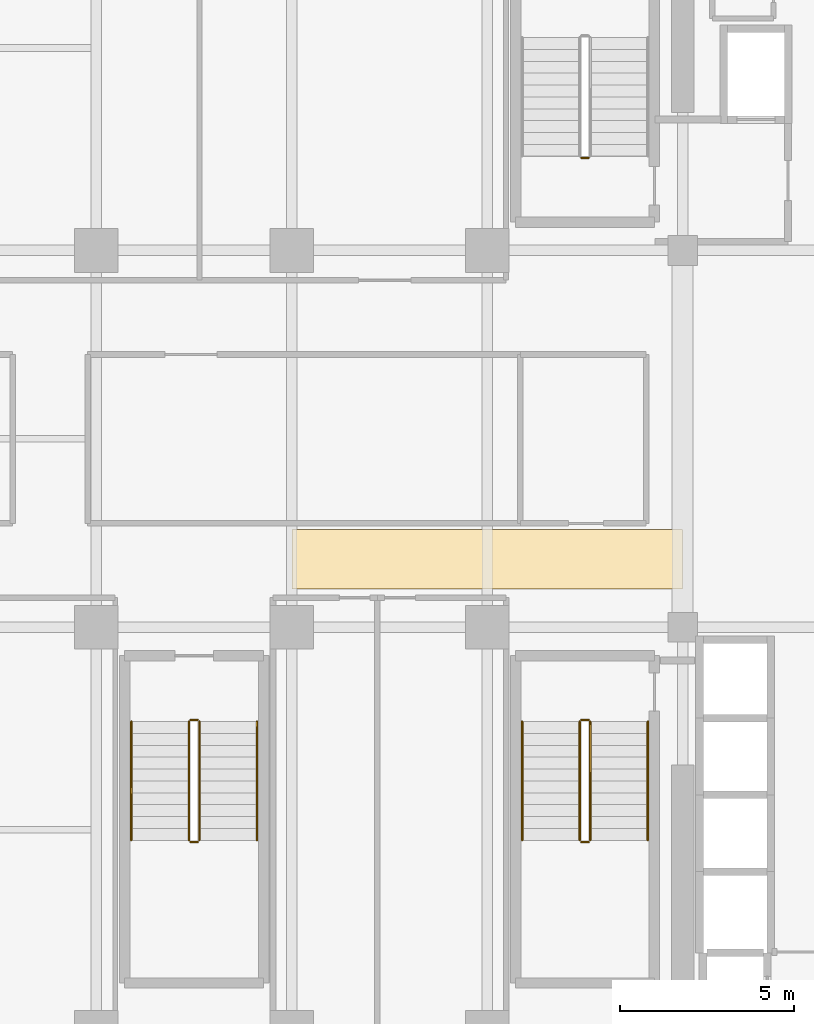
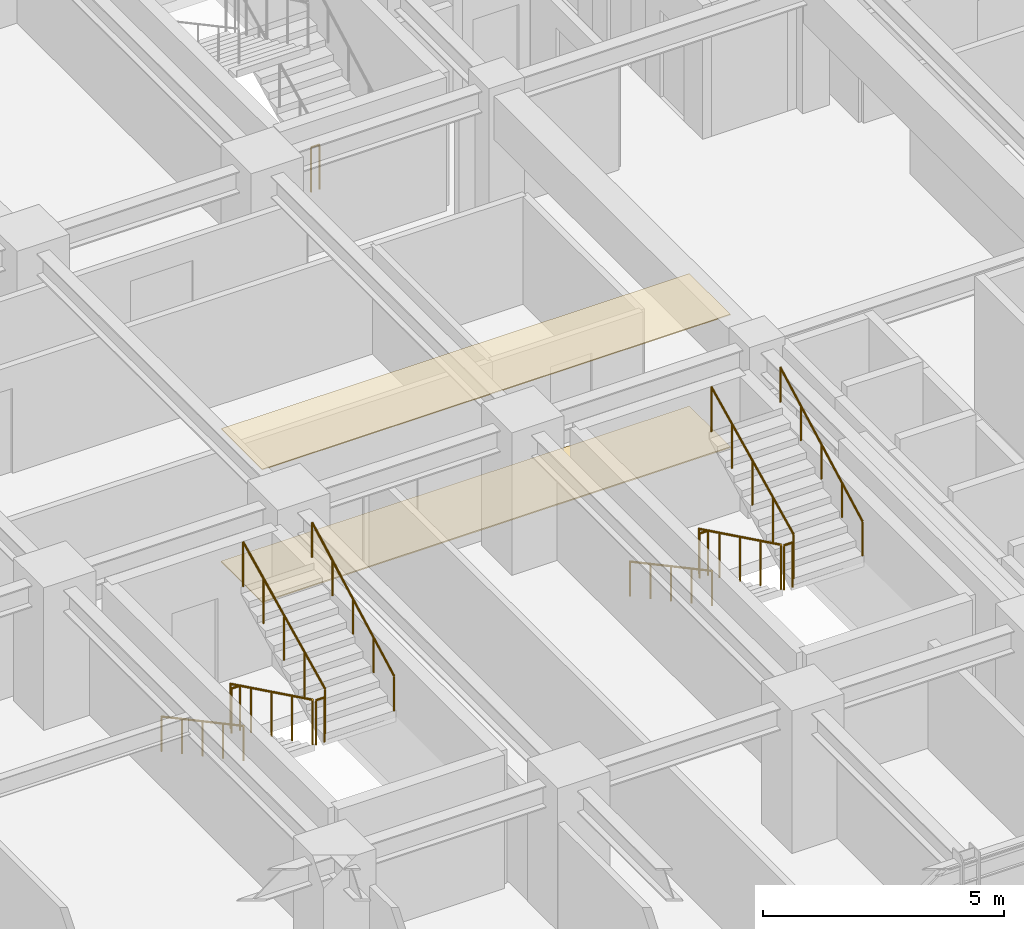
# One storey, part 32 of 35: 13 railings, 2 coverings.
"""IFC4 building model written with IfcOpenShell, lengths in metres."""

from ifc_helpers import new_model, si_unit, direction, frame, origin, origin_2d, place, context, subcontext, project, spatial, polyline, circle, outline, extrude, material, layer, layer_set, type_object, element, save


model = new_model("IFC4")

# Units and contexts
model_context = context("Model", 3, precision=1e-05, world=origin(), true_north=direction((0.0, 1.0)))
body_context = subcontext(model_context, "Body", "Model", "MODEL_VIEW")
ifc_project = project(units=[si_unit("LENGTHUNIT", "METRE"), si_unit("AREAUNIT", "SQUARE_METRE"), si_unit("VOLUMEUNIT", "CUBIC_METRE"), si_unit("PLANEANGLEUNIT", "RADIAN"), si_unit("MASSUNIT", "GRAM", prefix="KILO")], contexts=[model_context])

# Site, building, storey
site_placement = place(None, origin())
site = spatial("IfcSite", under=ifc_project, at=site_placement, CompositionType="ELEMENT")
building_placement = place(site_placement, origin())
building = spatial("IfcBuilding", under=site, at=building_placement, Name="Nahalor Promenade Grand Hotel", CompositionType="ELEMENT")
storey_placement = place(building_placement, frame((0.0, 0.0, 106.550048828125)))
storey = spatial("IfcBuildingStorey", under=building, at=storey_placement, Name="L26", CompositionType="ELEMENT", Elevation=106.550048828125)

# Coverings
ifc_material_1 = material(Name="Acoustic Mineral Gypsum", Category="gypsum")
ifc_layer_1 = layer(ifc_material_1, 0.02490234375)
ifc_layer_set_1 = layer_set([ifc_layer_1], Name="Acoustic Mineral Gypsum")
covering_type_1 = type_object("IfcCoveringType", Name="Acoustic Suspended Ceiling Tile", PredefinedType="CEILING", material=ifc_layer_set_1)
covering_1_placement = place(storey_placement, frame((0.0, 0.0, 3.35498046875)))
element("IfcCovering", 1, at=covering_1_placement, inside=storey, type_object=covering_type_1, Name="CV-CEIL-L26", PredefinedType="CEILING", context=body_context, shape_type="SweptSolid", body=[
    extrude(outline(polyline([(-2.800048828125, -4.300048828125), (8.39990234375, -4.300048828125), (8.39990234375, -2.60009765625), (-2.800048828125, -2.60009765625), (-2.800048828125, -4.300048828125)])), origin(), (0.0, 0.0, 1.0), 0.02490234375),
])
ifc_material_2 = material(Name="Jerusalem Limestone Flooring", Category="masonry")
ifc_layer_2 = layer(ifc_material_2, 0.030029296875)
ifc_layer_set_2 = layer_set([ifc_layer_2], Name="Jerusalem Limestone Flooring")
covering_type_2 = type_object("IfcCoveringType", Name="Honed Limestone Floor Finish", PredefinedType="FLOORING", material=ifc_layer_set_2)
covering_2_placement = place(storey_placement, origin())
element("IfcCovering", 2, at=covering_2_placement, inside=storey, type_object=covering_type_2, Name="CV-FLOR-L26", PredefinedType="FLOORING", context=body_context, shape_type="SweptSolid", body=[
    extrude(outline(polyline([(-2.800048828125, -4.300048828125), (8.39990234375, -4.300048828125), (8.39990234375, -2.60009765625), (-2.800048828125, -2.60009765625), (-2.800048828125, -4.300048828125)])), origin(), (0.0, 0.0, 1.0), 0.030029296875),
])

# Railings
ifc_material_3 = material(Name="Steel S355JR", Category="steel")
railing_type_1 = type_object("IfcRailingType", Name="Steel Stair Guardrail 1150 mm", PredefinedType="GUARDRAIL", material=ifc_material_3)
railing_1_placement = place(storey_placement, frame((5.699951171875, 8.050048828125, 0.0)))
element("IfcRailing", 3, at=railing_1_placement, inside=storey, type_object=railing_type_1, Name="L26 ST1 stair guard 4", PredefinedType="GUARDRAIL", context=body_context, shape_type="SweptSolid", body=[
    extrude(circle(Radius=0.024048, at=origin_2d()), frame((0.0, 0.0, 1.1259765625), z_axis=(-1.0, 0.0, 0.0), x_axis=(0.0, -1.0, 0.0)), (0.0, 0.0, 1.0), 0.199951171875),
    extrude(circle(Radius=0.020996, at=origin_2d()), origin(), (0.0, 0.0, 1.0), 1.099853515625),
    extrude(circle(Radius=0.020996, at=origin_2d()), frame((-0.199951171875, 0.0, 0.0)), (0.0, 0.0, 1.0), 1.099853515625),
])
railing_2_placement = place(storey_placement, frame((5.449951171875, -8.10009765625, 0.165771484375)))
element("IfcRailing", 4, at=railing_2_placement, inside=storey, type_object=railing_type_1, Name="L26 ST2 stair guard 1", PredefinedType="GUARDRAIL", context=body_context, shape_type="SweptSolid", body=[
    extrude(circle(Radius=0.024048, at=origin_2d()), frame((0.0, 0.0, 1.1259765625), z_axis=(0.0, -0.898696488221, 0.438571114028), x_axis=(1.0, 0.0, 0.0)), (0.0, 0.0, 1.0), 3.783203125),
    extrude(circle(Radius=0.020996, at=origin_2d()), origin(), (0.0, 0.0, 1.0), 1.099853515625),
    extrude(circle(Radius=0.020996, at=origin_2d()), frame((0.0, -0.85009765625, 0.414794921875)), (0.0, 0.0, 1.0), 1.099853515625),
    extrude(circle(Radius=0.020996, at=origin_2d()), frame((0.0, -1.699951171875, 0.82958984375)), (0.0, 0.0, 1.0), 1.099853515625),
    extrude(circle(Radius=0.020996, at=origin_2d()), frame((0.0, -2.5498046875, 1.244384765625)), (0.0, 0.0, 1.0), 1.099853515625),
    extrude(circle(Radius=0.020996, at=origin_2d()), frame((0.0, -3.39990234375, 1.6591796875)), (0.0, 0.0, 1.0), 1.099853515625),
])
railing_3_placement = place(storey_placement, frame((5.5, -11.550048828125, 1.824951171875)))
element("IfcRailing", 5, at=railing_3_placement, inside=storey, type_object=railing_type_1, Name="L26 ST2 stair guard 2", PredefinedType="GUARDRAIL", context=body_context, shape_type="SweptSolid", body=[
    extrude(circle(Radius=0.024048, at=origin_2d()), frame((0.0, 0.0, 1.1259765625), z_axis=(1.0, 0.0, 0.0), x_axis=(0.0, 1.0, 0.0)), (0.0, 0.0, 1.0), 0.199951171875),
    extrude(circle(Radius=0.020996, at=origin_2d()), origin(), (0.0, 0.0, 1.0), 1.099853515625),
    extrude(circle(Radius=0.020996, at=origin_2d()), frame((0.199951171875, 0.0, 0.0)), (0.0, 0.0, 1.0), 1.099853515625),
])
railing_4_placement = place(storey_placement, frame((5.75, -11.5, 1.990966796875)))
element("IfcRailing", 6, at=railing_4_placement, inside=storey, type_object=railing_type_1, Name="L26 ST2 stair guard 3", PredefinedType="GUARDRAIL", context=body_context, shape_type="SweptSolid", body=[
    extrude(circle(Radius=0.024048, at=origin_2d()), frame((0.0, 0.0, 1.1259765625), z_axis=(0.0, 0.898721922897, 0.438518990814), x_axis=(-1.0, 0.0, 0.0)), (0.0, 0.0, 1.0), 3.782958984375),
    extrude(circle(Radius=0.020996, at=origin_2d()), origin(), (0.0, 0.0, 1.0), 1.099853515625),
    extrude(circle(Radius=0.020996, at=origin_2d()), frame((0.0, 0.85009765625, 0.414794921875)), (0.0, 0.0, 1.0), 1.099853515625),
    extrude(circle(Radius=0.020996, at=origin_2d()), frame((0.0, 1.699951171875, 0.82958984375)), (0.0, 0.0, 1.0), 1.099853515625),
    extrude(circle(Radius=0.020996, at=origin_2d()), frame((0.0, 2.5498046875, 1.244140625)), (0.0, 0.0, 1.0), 1.099853515625),
    extrude(circle(Radius=0.020996, at=origin_2d()), frame((0.0, 3.39990234375, 1.658935546875)), (0.0, 0.0, 1.0), 1.099853515625),
])
railing_5_placement = place(storey_placement, frame((5.5, -8.050048828125, 0.0)))
element("IfcRailing", 7, at=railing_5_placement, inside=storey, type_object=railing_type_1, Name="L26 ST2 stair guard 4", PredefinedType="GUARDRAIL", context=body_context, shape_type="SweptSolid", body=[
    extrude(circle(Radius=0.024048, at=origin_2d()), frame((0.0, 0.0, 1.1259765625), z_axis=(1.0, 0.0, 0.0), x_axis=(0.0, 1.0, 0.0)), (0.0, 0.0, 1.0), 0.199951171875),
    extrude(circle(Radius=0.020996, at=origin_2d()), origin(), (0.0, 0.0, 1.0), 1.099853515625),
    extrude(circle(Radius=0.020996, at=origin_2d()), frame((0.199951171875, 0.0, 0.0)), (0.0, 0.0, 1.0), 1.099853515625),
])
railing_6_placement = place(storey_placement, frame((-5.75, -8.10009765625, 0.165771484375)))
element("IfcRailing", 8, at=railing_6_placement, inside=storey, type_object=railing_type_1, Name="L26 ST3 stair guard 1", PredefinedType="GUARDRAIL", context=body_context, shape_type="SweptSolid", body=[
    extrude(circle(Radius=0.024048, at=origin_2d()), frame((0.0, 0.0, 1.1259765625), z_axis=(0.0, -0.898696488221, 0.438571114028), x_axis=(1.0, 0.0, 0.0)), (0.0, 0.0, 1.0), 3.783203125),
    extrude(circle(Radius=0.020996, at=origin_2d()), origin(), (0.0, 0.0, 1.0), 1.099853515625),
    extrude(circle(Radius=0.020996, at=origin_2d()), frame((0.0, -0.85009765625, 0.414794921875)), (0.0, 0.0, 1.0), 1.099853515625),
    extrude(circle(Radius=0.020996, at=origin_2d()), frame((0.0, -1.699951171875, 0.82958984375)), (0.0, 0.0, 1.0), 1.099853515625),
    extrude(circle(Radius=0.020996, at=origin_2d()), frame((0.0, -2.5498046875, 1.244384765625)), (0.0, 0.0, 1.0), 1.099853515625),
    extrude(circle(Radius=0.020996, at=origin_2d()), frame((0.0, -3.39990234375, 1.6591796875)), (0.0, 0.0, 1.0), 1.099853515625),
])
railing_7_placement = place(storey_placement, frame((-5.699951171875, -11.550048828125, 1.824951171875)))
element("IfcRailing", 9, at=railing_7_placement, inside=storey, type_object=railing_type_1, Name="L26 ST3 stair guard 2", PredefinedType="GUARDRAIL", context=body_context, shape_type="SweptSolid", body=[
    extrude(circle(Radius=0.024048, at=origin_2d()), frame((0.0, 0.0, 1.1259765625), z_axis=(1.0, 0.0, 0.0), x_axis=(0.0, 1.0, 0.0)), (0.0, 0.0, 1.0), 0.199951171875),
    extrude(circle(Radius=0.020996, at=origin_2d()), origin(), (0.0, 0.0, 1.0), 1.099853515625),
    extrude(circle(Radius=0.020996, at=origin_2d()), frame((0.199951171875, 0.0, 0.0)), (0.0, 0.0, 1.0), 1.099853515625),
])
railing_8_placement = place(storey_placement, frame((-5.449951171875, -11.5, 1.990966796875)))
element("IfcRailing", 10, at=railing_8_placement, inside=storey, type_object=railing_type_1, Name="L26 ST3 stair guard 3", PredefinedType="GUARDRAIL", context=body_context, shape_type="SweptSolid", body=[
    extrude(circle(Radius=0.024048, at=origin_2d()), frame((0.0, 0.0, 1.1259765625), z_axis=(0.0, 0.898721922897, 0.438518990814), x_axis=(-1.0, 0.0, 0.0)), (0.0, 0.0, 1.0), 3.782958984375),
    extrude(circle(Radius=0.020996, at=origin_2d()), origin(), (0.0, 0.0, 1.0), 1.099853515625),
    extrude(circle(Radius=0.020996, at=origin_2d()), frame((0.0, 0.85009765625, 0.414794921875)), (0.0, 0.0, 1.0), 1.099853515625),
    extrude(circle(Radius=0.020996, at=origin_2d()), frame((0.0, 1.699951171875, 0.82958984375)), (0.0, 0.0, 1.0), 1.099853515625),
    extrude(circle(Radius=0.020996, at=origin_2d()), frame((0.0, 2.5498046875, 1.244140625)), (0.0, 0.0, 1.0), 1.099853515625),
    extrude(circle(Radius=0.020996, at=origin_2d()), frame((0.0, 3.39990234375, 1.658935546875)), (0.0, 0.0, 1.0), 1.099853515625),
])
railing_9_placement = place(storey_placement, frame((-5.699951171875, -8.050048828125, 0.0)))
element("IfcRailing", 11, at=railing_9_placement, inside=storey, type_object=railing_type_1, Name="L26 ST3 stair guard 4", PredefinedType="GUARDRAIL", context=body_context, shape_type="SweptSolid", body=[
    extrude(circle(Radius=0.024048, at=origin_2d()), frame((0.0, 0.0, 1.1259765625), z_axis=(1.0, 0.0, 0.0), x_axis=(0.0, 1.0, 0.0)), (0.0, 0.0, 1.0), 0.199951171875),
    extrude(circle(Radius=0.020996, at=origin_2d()), origin(), (0.0, 0.0, 1.0), 1.099853515625),
    extrude(circle(Radius=0.020996, at=origin_2d()), frame((0.199951171875, 0.0, 0.0)), (0.0, 0.0, 1.0), 1.099853515625),
])
railing_type_2 = type_object("IfcRailingType", Name="Steel Stair Handrail 900 mm", PredefinedType="HANDRAIL", material=ifc_material_3)
railing_10_placement = place(storey_placement, frame((3.800048828125, -8.10009765625, 0.165771484375)))
element("IfcRailing", 12, at=railing_10_placement, inside=storey, type_object=railing_type_2, Name="L26 ST2 stair handrail 1", PredefinedType="HANDRAIL", context=body_context, shape_type="SweptSolid", body=[
    extrude(circle(Radius=0.024048, at=origin_2d()), frame((0.0, 0.0, 0.8759765625), z_axis=(0.0, -0.881067672671, 0.472990228413), x_axis=(1.0, 0.0, 0.0)), (0.0, 0.0, 1.0), 3.85888671875),
    extrude(circle(Radius=0.020996, at=origin_2d()), origin(), (0.0, 0.0, 1.0), 0.849853515625),
    extrude(circle(Radius=0.020996, at=origin_2d()), frame((0.0, -0.85009765625, 0.456298828125)), (0.0, 0.0, 1.0), 0.849853515625),
    extrude(circle(Radius=0.020996, at=origin_2d()), frame((0.0, -1.699951171875, 0.91259765625)), (0.0, 0.0, 1.0), 0.849853515625),
    extrude(circle(Radius=0.020996, at=origin_2d()), frame((0.0, -2.5498046875, 1.368896484375)), (0.0, 0.0, 1.0), 0.849853515625),
    extrude(circle(Radius=0.020996, at=origin_2d()), frame((0.0, -3.39990234375, 1.8251953125)), (0.0, 0.0, 1.0), 0.849853515625),
])
railing_11_placement = place(storey_placement, frame((7.39990234375, -11.5, 1.990966796875)))
element("IfcRailing", 13, at=railing_11_placement, inside=storey, type_object=railing_type_2, Name="L26 ST2 stair handrail 2", PredefinedType="HANDRAIL", context=body_context, shape_type="SweptSolid", body=[
    extrude(circle(Radius=0.024048, at=origin_2d()), frame((0.0, 0.0, 0.8759765625), z_axis=(0.0, 0.881094038095, 0.47294111265), x_axis=(-1.0, 0.0, 0.0)), (0.0, 0.0, 1.0), 3.858642578125),
    extrude(circle(Radius=0.020996, at=origin_2d()), origin(), (0.0, 0.0, 1.0), 0.849853515625),
    extrude(circle(Radius=0.020996, at=origin_2d()), frame((0.0, 0.85009765625, 0.456298828125)), (0.0, 0.0, 1.0), 0.849853515625),
    extrude(circle(Radius=0.020996, at=origin_2d()), frame((0.0, 1.699951171875, 0.91259765625)), (0.0, 0.0, 1.0), 0.849853515625),
    extrude(circle(Radius=0.020996, at=origin_2d()), frame((0.0, 2.5498046875, 1.36865234375)), (0.0, 0.0, 1.0), 0.849853515625),
    extrude(circle(Radius=0.020996, at=origin_2d()), frame((0.0, 3.39990234375, 1.824951171875)), (0.0, 0.0, 1.0), 0.849853515625),
])
railing_12_placement = place(storey_placement, frame((-7.39990234375, -8.10009765625, 0.165771484375)))
element("IfcRailing", 14, at=railing_12_placement, inside=storey, type_object=railing_type_2, Name="L26 ST3 stair handrail 1", PredefinedType="HANDRAIL", context=body_context, shape_type="SweptSolid", body=[
    extrude(circle(Radius=0.024048, at=origin_2d()), frame((0.0, 0.0, 0.8759765625), z_axis=(0.0, -0.881067672671, 0.472990228413), x_axis=(1.0, 0.0, 0.0)), (0.0, 0.0, 1.0), 3.85888671875),
    extrude(circle(Radius=0.020996, at=origin_2d()), origin(), (0.0, 0.0, 1.0), 0.849853515625),
    extrude(circle(Radius=0.020996, at=origin_2d()), frame((0.0, -0.85009765625, 0.456298828125)), (0.0, 0.0, 1.0), 0.849853515625),
    extrude(circle(Radius=0.020996, at=origin_2d()), frame((0.0, -1.699951171875, 0.91259765625)), (0.0, 0.0, 1.0), 0.849853515625),
    extrude(circle(Radius=0.020996, at=origin_2d()), frame((0.0, -2.5498046875, 1.368896484375)), (0.0, 0.0, 1.0), 0.849853515625),
    extrude(circle(Radius=0.020996, at=origin_2d()), frame((0.0, -3.39990234375, 1.8251953125)), (0.0, 0.0, 1.0), 0.849853515625),
])
railing_13_placement = place(storey_placement, frame((-3.800048828125, -11.5, 1.990966796875)))
element("IfcRailing", 15, at=railing_13_placement, inside=storey, type_object=railing_type_2, Name="L26 ST3 stair handrail 2", PredefinedType="HANDRAIL", context=body_context, shape_type="SweptSolid", body=[
    extrude(circle(Radius=0.024048, at=origin_2d()), frame((0.0, 0.0, 0.8759765625), z_axis=(0.0, 0.881094038095, 0.47294111265), x_axis=(-1.0, 0.0, 0.0)), (0.0, 0.0, 1.0), 3.858642578125),
    extrude(circle(Radius=0.020996, at=origin_2d()), origin(), (0.0, 0.0, 1.0), 0.849853515625),
    extrude(circle(Radius=0.020996, at=origin_2d()), frame((0.0, 0.85009765625, 0.456298828125)), (0.0, 0.0, 1.0), 0.849853515625),
    extrude(circle(Radius=0.020996, at=origin_2d()), frame((0.0, 1.699951171875, 0.91259765625)), (0.0, 0.0, 1.0), 0.849853515625),
    extrude(circle(Radius=0.020996, at=origin_2d()), frame((0.0, 2.5498046875, 1.36865234375)), (0.0, 0.0, 1.0), 0.849853515625),
    extrude(circle(Radius=0.020996, at=origin_2d()), frame((0.0, 3.39990234375, 1.824951171875)), (0.0, 0.0, 1.0), 0.849853515625),
])

save(model, "model.ifc")
